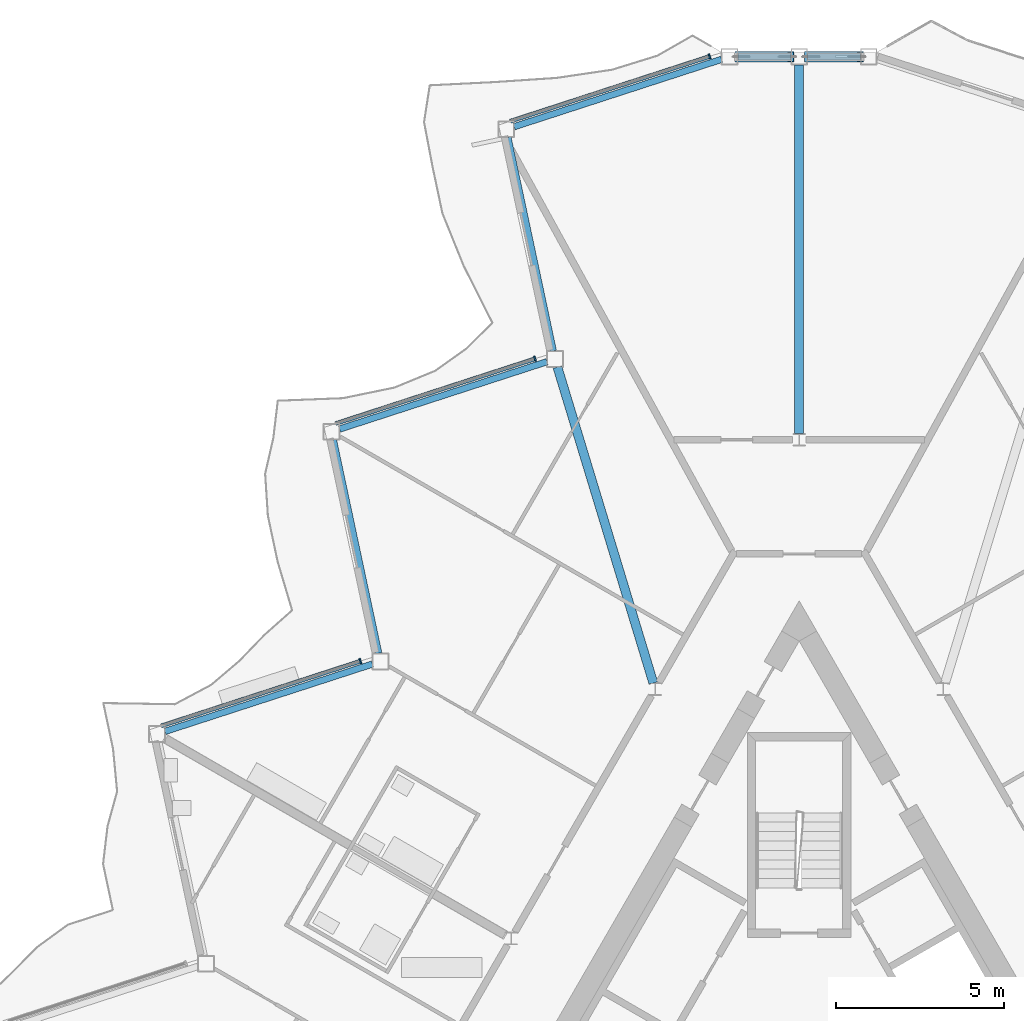
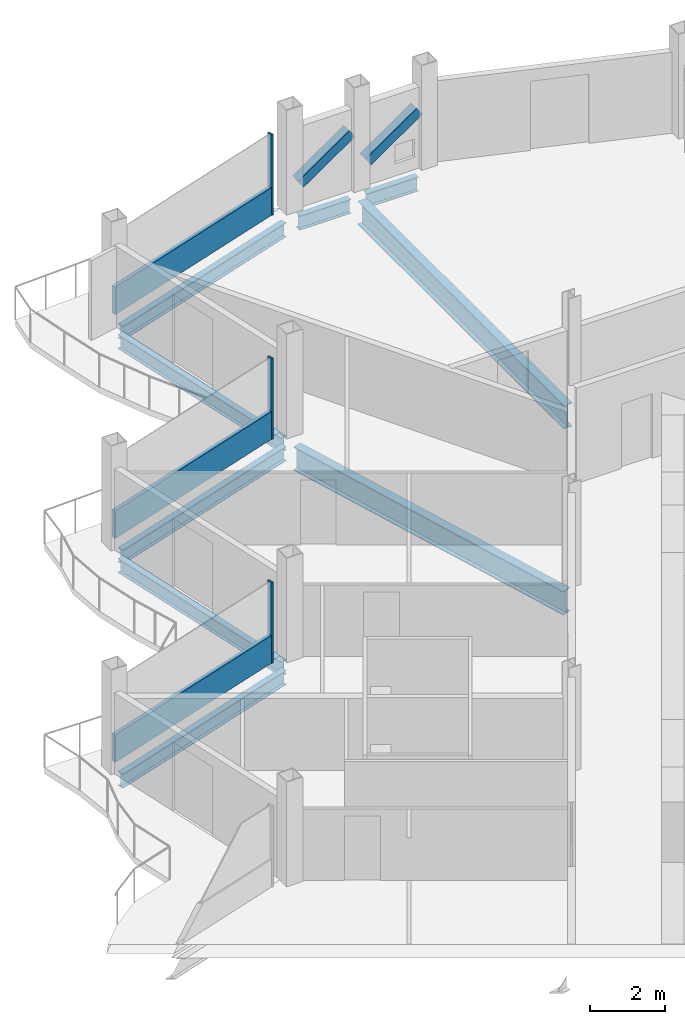
# One storey, part 9 of 25: 9 beams, 8 members, 3 elements without a shape of their own.
"""IFC4 building model written with IfcOpenShell, lengths in metres."""

from ifc_helpers import new_model, si_unit, direction, frame, origin, origin_2d, place, context, subcontext, project, spatial, rectangle, hollow_rectangle, i_section, extrude, material, layer, layer_set, material_profile, profile_set, type_object, element, aggregate, save


model = new_model("IFC4")

# Units and contexts
model_context = context("Model", 3, precision=1e-05, world=origin(), true_north=direction((0.0, 1.0)))
body_context = subcontext(model_context, "Body", "Model", "MODEL_VIEW")
ifc_project = project(units=[si_unit("LENGTHUNIT", "METRE"), si_unit("AREAUNIT", "SQUARE_METRE"), si_unit("VOLUMEUNIT", "CUBIC_METRE"), si_unit("PLANEANGLEUNIT", "RADIAN"), si_unit("MASSUNIT", "GRAM", prefix="KILO")], contexts=[model_context])

# Site, building, storey
site_placement = place(None, origin())
site = spatial("IfcSite", under=ifc_project, at=site_placement, CompositionType="ELEMENT")
building_placement = place(site_placement, origin())
building = spatial("IfcBuilding", under=site, at=building_placement, Name="Cormorant Prow Tower", CompositionType="ELEMENT")
storey_placement = place(building_placement, frame((0.0, 0.0, 391.60009765625)))
storey = spatial("IfcBuildingStorey", under=building, at=storey_placement, Name="L89", CompositionType="ELEMENT", Elevation=391.60009765625)

# Members
ifc_material_1 = material(Name="Structural steel ASTM A500 Gr C", Category="steel")
ifc_material_profile_1 = material_profile(ifc_material_1, hollow_rectangle(XDim=0.3046875, YDim=0.3046875, WallThickness=0.01171875, at=origin_2d()), Name="HSS12x12x1/2")
ifc_profile_set_1 = profile_set([ifc_material_profile_1], Name="Structural steel ASTM A500 Gr C")
member_type_1 = type_object("IfcMemberType", Name="Chamfer brace HSS12x12x1/2", PredefinedType="BRACE", material=ifc_profile_set_1)
for number, where, z_axis, x_axis, name in (
    (1, (0.246826171875, 31.219482421875, 0.7705078125), (0.82250770082, 0.0, 0.568753973254), (0.0, 1.0, 0.0), "Chamfer brace BR3 at N00 L89"),
    (2, (-1.8271484375, 31.219482421875, 0.7705078125), (0.82250770082, 0.0, 0.568753973254), (0.0, 1.0, 0.0), "Chamfer brace BR3 at N01 L89"),
):
    element("IfcMember", number, at=place(storey_placement, frame(where, z_axis=z_axis, x_axis=x_axis)), inside=storey, type_object=member_type_1, Name=name, PredefinedType="BRACE", context=body_context, shape_type="SweptSolid", body=[
        extrude(hollow_rectangle(XDim=0.3046875, YDim=0.3046875, WallThickness=0.01171875, at=origin_2d()), origin(), (0.0, 0.0, 1.0), 1.92138671875),
    ])

# Beams
ifc_material_2 = material(Name="Structural steel ASTM A992 Gr 50", Category="steel")
ifc_material_profile_2 = material_profile(ifc_material_2, i_section(OverallWidth=0.267822265625, OverallDepth=0.77001953125, WebThickness=0.015625, FlangeThickness=0.025390625, at=origin_2d()), Name="W30x132")
ifc_profile_set_2 = profile_set([ifc_material_profile_2], Name="Structural steel ASTM A992 Gr 50")
beam_type_1 = type_object("IfcBeamType", Name="Radial floor beam W30x132", PredefinedType="BEAM", material=ifc_profile_set_2)
beam_1_placement = place(storey_placement, frame((0.0, 19.998046875, -0.68505859375), z_axis=(0.0, 1.0, 0.0), x_axis=(-1.0, 0.0, 0.0)))
element("IfcBeam", 3, at=beam_1_placement, inside=storey, type_object=beam_type_1, Name="Radial floor beam FB3 1 L89", PredefinedType="BEAM", context=body_context, shape_type="SweptSolid", body=[
    extrude(i_section(OverallWidth=0.267822265625, OverallDepth=0.77001953125, WebThickness=0.015625, FlangeThickness=0.025390625, at=origin_2d()), origin(), (0.0, 0.0, 1.0), 10.971435546875),
])
beam_2_placement = place(storey_placement, frame((-4.343505859375, 12.560791015625, -0.68505859375), z_axis=(-0.290499864147, 0.956875033079, 0.0), x_axis=(-0.956875033079, -0.290499864147, 0.0)))
element("IfcBeam", 4, at=beam_2_placement, inside=storey, type_object=beam_type_1, Name="Radial floor beam FB3 2 L89", PredefinedType="BEAM", context=body_context, shape_type="SweptSolid", body=[
    extrude(i_section(OverallWidth=0.267822265625, OverallDepth=0.77001953125, WebThickness=0.015625, FlangeThickness=0.025390625, at=origin_2d()), origin(), (0.0, 0.0, 1.0), 9.837158203125),
])

# Curtain wall, member
ifc_material_3 = material(Name="Aluminium 6063-T6", Category="aluminium")
ifc_layer = layer(ifc_material_3, 0.159912109375)
ifc_layer_set = layer_set([ifc_layer], Name="Aluminium 6063-T6")
curtain_wall_type = type_object("IfcCurtainWallType", Name="Residential unitised curtain wall 160", PredefinedType="NOTDEFINED", material=ifc_layer_set)
curtain_wall_1_placement = place(storey_placement, origin())
curtain_wall_1 = element("IfcCurtainWall", 5, at=curtain_wall_1_placement, inside=storey, type_object=curtain_wall_type, Name="Residential curtain wall WNW00", PredefinedType="NOTDEFINED")
ifc_material_4 = material(Name="Aluminium 6063-T6", Category="aluminium")
ifc_material_profile_3 = material_profile(ifc_material_4, rectangle(XDim=0.159912109375, YDim=0.050048828125, at=origin_2d()), Name="Residential mullion 50x160")
ifc_profile_set_3 = profile_set([ifc_material_profile_3], Name="Aluminium 6063-T6")
member_type_2 = type_object("IfcMemberType", Name="Residential mullion 50x160", PredefinedType="MULLION", material=ifc_profile_set_3)
member_1_placement = place(storey_placement, frame((-2.669921875, 31.228271484375, 0.0), z_axis=(0.0, 0.0, 1.0), x_axis=(0.309016937108, -0.951056534902, 0.0)))
member_1 = element("IfcMember", 6, at=member_1_placement, type_object=member_type_2, Name="Residential mullion WNW00", PredefinedType="MULLION", context=body_context, shape_type="SweptSolid", body=[
    extrude(rectangle(XDim=0.159912109375, YDim=0.050048828125, at=origin_2d()), origin(), (0.0, 0.0, 1.0), 2.6337890625),
])

curtain_wall_2_placement = place(storey_placement, origin())
curtain_wall_2 = element("IfcCurtainWall", 7, at=curtain_wall_2_placement, inside=storey, type_object=curtain_wall_type, Name="Residential curtain wall WNW02", PredefinedType="NOTDEFINED")
member_2_placement = place(storey_placement, frame((-7.8701171875, 22.2216796875, 0.0), z_axis=(0.0, 0.0, 1.0), x_axis=(0.309016937108, -0.951056534902, 0.0)))
member_2 = element("IfcMember", 8, at=member_2_placement, type_object=member_type_2, Name="Residential mullion WNW02", PredefinedType="MULLION", context=body_context, shape_type="SweptSolid", body=[
    extrude(rectangle(XDim=0.159912109375, YDim=0.050048828125, at=origin_2d()), origin(), (0.0, 0.0, 1.0), 2.6337890625),
])

curtain_wall_3_placement = place(storey_placement, origin())
curtain_wall_3 = element("IfcCurtainWall", 9, at=curtain_wall_3_placement, inside=storey, type_object=curtain_wall_type, Name="Residential curtain wall WNW04", PredefinedType="NOTDEFINED")
member_3_placement = place(storey_placement, frame((-13.070068359375, 13.21484375, 0.0), z_axis=(0.0, 0.0, 1.0), x_axis=(0.309017066365, -0.951056492904, 0.0)))
member_3 = element("IfcMember", 10, at=member_3_placement, type_object=member_type_2, Name="Residential mullion WNW04", PredefinedType="MULLION", context=body_context, shape_type="SweptSolid", body=[
    extrude(rectangle(XDim=0.159912109375, YDim=0.050048828125, at=origin_2d()), origin(), (0.0, 0.0, 1.0), 2.6337890625),
])

# Member
ifc_material_5 = material(Name="Terracotta", Category="masonry")
ifc_material_profile_4 = material_profile(ifc_material_5, rectangle(XDim=0.1201171875, YDim=0.89990234375, at=origin_2d()), Name="Residential terracotta spandrel rail 120x900")
ifc_profile_set_4 = profile_set([ifc_material_profile_4], Name="Terracotta")
member_type_3 = type_object("IfcMemberType", Name="Residential terracotta spandrel rail 120x900", PredefinedType="USERDEFINED", material=ifc_profile_set_4)
member_4_placement = place(storey_placement, frame((-2.69384765625, 31.220458984375, 0.449951171875), z_axis=(-0.951056004715, -0.309018568854, 0.0), x_axis=(0.309018568854, -0.951056004715, 0.0)))
member_4 = element("IfcMember", 11, at=member_4_placement, type_object=member_type_3, Name="Residential spandrel rail WNW00", ObjectType="TRANSOM", PredefinedType="USERDEFINED", context=body_context, shape_type="SweptSolid", body=[
    extrude(rectangle(XDim=0.1201171875, YDim=0.89990234375, at=origin_2d()), origin(), (0.0, 0.0, 1.0), 6.21533203125),
])

aggregate(curtain_wall_1, [member_1, member_4])

member_5_placement = place(storey_placement, frame((-7.893798828125, 22.2138671875, 0.449951171875), z_axis=(-0.951056004715, -0.309018568854, 0.0), x_axis=(0.309018568854, -0.951056004715, 0.0)))
member_5 = element("IfcMember", 12, at=member_5_placement, type_object=member_type_3, Name="Residential spandrel rail WNW02", ObjectType="TRANSOM", PredefinedType="USERDEFINED", context=body_context, shape_type="SweptSolid", body=[
    extrude(rectangle(XDim=0.1201171875, YDim=0.89990234375, at=origin_2d()), origin(), (0.0, 0.0, 1.0), 6.21533203125),
])

aggregate(curtain_wall_2, [member_2, member_5])

member_6_placement = place(storey_placement, frame((-13.09375, 13.207275390625, 0.449951171875), z_axis=(-0.951056004715, -0.309018568854, 0.0), x_axis=(0.309018568854, -0.951056004715, 0.0)))
member_6 = element("IfcMember", 13, at=member_6_placement, type_object=member_type_3, Name="Residential spandrel rail WNW04", ObjectType="TRANSOM", PredefinedType="USERDEFINED", context=body_context, shape_type="SweptSolid", body=[
    extrude(rectangle(XDim=0.1201171875, YDim=0.89990234375, at=origin_2d()), origin(), (0.0, 0.0, 1.0), 6.21533203125),
])

aggregate(curtain_wall_3, [member_3, member_6])

# Beams
ifc_material_6 = material(Name="Structural steel ASTM A992 Gr 50", Category="steel")
ifc_material_profile_5 = material_profile(ifc_material_6, i_section(OverallWidth=0.19287109375, OverallDepth=0.466064453125, WebThickness=0.011474609375, FlangeThickness=0.01904296875, at=origin_2d()), Name="W18x65")
ifc_profile_set_5 = profile_set([ifc_material_profile_5], Name="Structural steel ASTM A992 Gr 50")
beam_type_2 = type_object("IfcBeamType", Name="Spandrel beam W18x65", PredefinedType="SPANDREL", material=ifc_profile_set_5)
for number, where, z_axis, x_axis, name in (
    (14, (1.82373046875, 31.219482421875, -0.533203125), (-1.0, 0.0, 0.0), (0.0, -1.0, 0.0), "Spandrel beam SB4 N00-N01 L89"),
    (15, (-0.25, 31.219482421875, -0.533203125), (-1.0, 0.0, 0.0), (0.0, -1.0, 0.0), "Spandrel beam SB4 N01-WNW00 L89"),
):
    element("IfcBeam", number, at=place(storey_placement, frame(where, z_axis=z_axis, x_axis=x_axis)), inside=storey, type_object=beam_type_2, Name=name, PredefinedType="SPANDREL", context=body_context, shape_type="SweptSolid", body=[
        extrude(i_section(OverallWidth=0.19287109375, OverallDepth=0.466064453125, WebThickness=0.011474609375, FlangeThickness=0.01904296875, at=origin_2d()), origin(), (0.0, 0.0, 1.0), 1.57373046875),
    ])
for number, where, z_axis, x_axis, name in (
    (16, (-2.3115234375, 31.142333984375, -0.533203125), (-0.951056984862, -0.30901555227, 0.0), (0.30901555227, -0.951056984862, 0.0), "Spandrel beam SB4 WNW00-WNW01 L89"),
    (17, (-8.6767578125, 28.812744140625, -0.533203125), (0.20793784774, -0.978142040543, 0.0), (0.978142040543, 0.20793784774, 0.0), "Spandrel beam SB4 WNW01-WNW02 L89"),
):
    element("IfcBeam", number, at=place(storey_placement, frame(where, z_axis=z_axis, x_axis=x_axis)), inside=storey, type_object=beam_type_2, Name=name, PredefinedType="SPANDREL", context=body_context, shape_type="SweptSolid", body=[
        extrude(i_section(OverallWidth=0.19287109375, OverallDepth=0.466064453125, WebThickness=0.011474609375, FlangeThickness=0.01904296875, at=origin_2d()), origin(), (0.0, 0.0, 1.0), 6.49755859375),
    ])
beam_3_placement = place(storey_placement, frame((-7.511474609375, 22.135498046875, -0.533203125), z_axis=(-0.951068027308, -0.308981564875, 0.0), x_axis=(0.308981564875, -0.951068027308, 0.0)))
element("IfcBeam", 18, at=beam_3_placement, inside=storey, type_object=beam_type_2, Name="Spandrel beam SB4 WNW02-WNW03 L89", PredefinedType="SPANDREL", context=body_context, shape_type="SweptSolid", body=[
    extrude(i_section(OverallWidth=0.19287109375, OverallDepth=0.466064453125, WebThickness=0.011474609375, FlangeThickness=0.01904296875, at=origin_2d()), origin(), (0.0, 0.0, 1.0), 6.497314453125),
])
beam_4_placement = place(storey_placement, frame((-13.876708984375, 19.80615234375, -0.533203125), z_axis=(0.207901897373, -0.978149682344, 0.0), x_axis=(0.978149682344, 0.207901897373, 0.0)))
element("IfcBeam", 19, at=beam_4_placement, inside=storey, type_object=beam_type_2, Name="Spandrel beam SB4 WNW03-WNW04 L89", PredefinedType="SPANDREL", context=body_context, shape_type="SweptSolid", body=[
    extrude(i_section(OverallWidth=0.19287109375, OverallDepth=0.466064453125, WebThickness=0.011474609375, FlangeThickness=0.01904296875, at=origin_2d()), origin(), (0.0, 0.0, 1.0), 6.49755859375),
])
beam_5_placement = place(storey_placement, frame((-12.711669921875, 13.12890625, -0.533203125), z_axis=(-0.951053396625, -0.309026595569, 0.0), x_axis=(0.309026595569, -0.951053396625, 0.0)))
element("IfcBeam", 20, at=beam_5_placement, inside=storey, type_object=beam_type_2, Name="Spandrel beam SB4 WNW04-WNW05 L89", PredefinedType="SPANDREL", context=body_context, shape_type="SweptSolid", body=[
    extrude(i_section(OverallWidth=0.19287109375, OverallDepth=0.466064453125, WebThickness=0.011474609375, FlangeThickness=0.01904296875, at=origin_2d()), origin(), (0.0, 0.0, 1.0), 6.497314453125),
])

save(model, "model.ifc")
